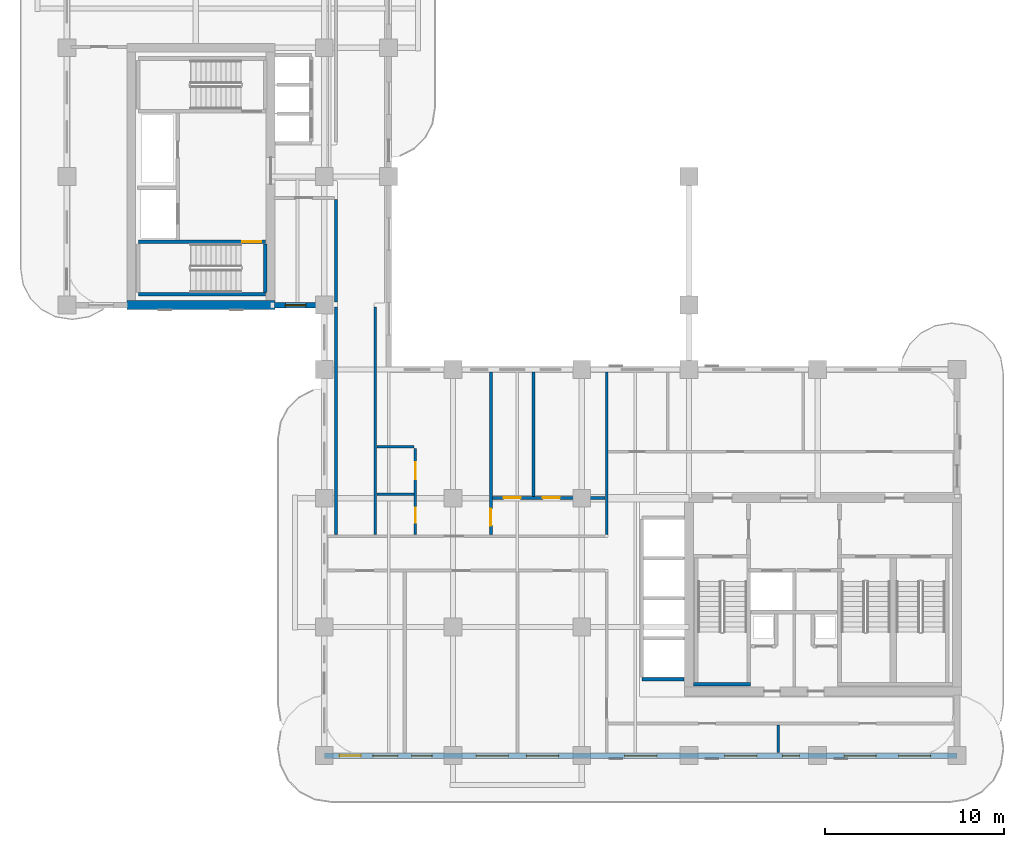
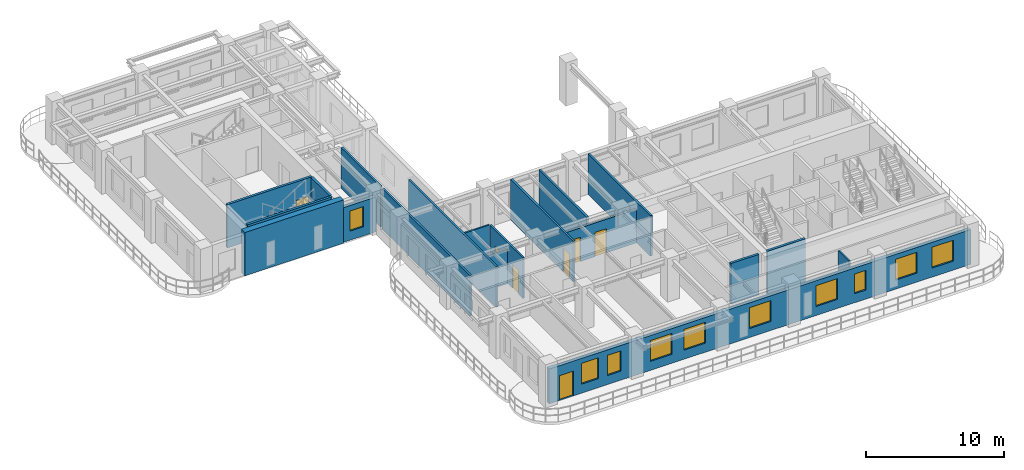
# One storey, part 6 of 15: 19 walls, 10 windows, 7 doors, 17 openings.
"""IFC4 building model written with IfcOpenShell, lengths in metres."""

import ifcopenshell
import ifcopenshell.guid

model = None  # the IFC model being written
_history = None  # IfcOwnerHistory: only IFC2X3 demands one
_inside = {}  # id of a spatial element -> (the spatial element, [elements in it])
_under = {}  # id of a project, library or spatial element -> (it, [spatial elements below it])
_declared = {}  # id of a project -> (the project, [libraries it declares])
_typed = {}  # id of a type object -> (the type object, [elements of that type])
_made_of = {}  # id of a material, layer set ... -> (it, [elements and type objects made of it])


def new_model(schema):
    """Start an empty IFC model of exactly this schema.

    Asked for "IFC4X3", IfcOpenShell would pick the latest addendum, in which some entities
    have other attributes; the version numbers below select the first issue.
    IFC2X3 requires an IfcOwnerHistory on every rooted entity: one is made here for all.
    """
    global model, _history
    if schema == "IFC4X3":
        model = ifcopenshell.file(schema_version=(4, 3, 0, 0))
    else:
        model = ifcopenshell.file(schema=schema)
    _inside.clear()
    _under.clear()
    _declared.clear()
    _typed.clear()
    _made_of.clear()
    _history = None
    if model.schema == "IFC2X3":
        org = make("IfcOrganization", Name="unknown")
        user = make(
            "IfcPersonAndOrganization",
            ThePerson=make("IfcPerson", FamilyName="unknown"),
            TheOrganization=org,
        )
        app = make(
            "IfcApplication",
            ApplicationDeveloper=org,
            Version="unknown",
            ApplicationFullName="unknown",
            ApplicationIdentifier="unknown",
        )
        _history = make(
            "IfcOwnerHistory",
            OwningUser=user,
            OwningApplication=app,
            ChangeAction="ADDED",
            CreationDate=0,
        )
    return model


def make(cls, **values):
    """One entity of the class cls with the attributes given. An attribute that is None is left unset."""
    return model.create_entity(
        cls, **{name: value for name, value in values.items() if value is not None}
    )


def rooted(cls, **values):
    """An entity with a GlobalId (a new one), such as an element, a storey or a relation."""
    return make(cls, GlobalId=ifcopenshell.guid.new(), OwnerHistory=_history, **values)


def si_unit(unit_type, name, prefix=None):
    """IfcSIUnit, for example si_unit("LENGTHUNIT", "METRE", prefix="MILLI")."""
    return make("IfcSIUnit", UnitType=unit_type, Prefix=prefix, Name=name)


def derived_unit(unit_type, elements):
    """IfcDerivedUnit: a product of units, each with its exponent."""
    return make(
        "IfcDerivedUnit",
        Elements=[
            make("IfcDerivedUnitElement", Unit=unit, Exponent=power)
            for unit, power in elements
        ],
        UnitType=unit_type,
    )


def assignment(units):
    """IfcUnitAssignment: the units of a project."""
    return None if units is None else make("IfcUnitAssignment", Units=units)


def point(xyz):
    """IfcCartesianPoint."""
    return None if xyz is None else make("IfcCartesianPoint", Coordinates=xyz)


def direction(xyz):
    """IfcDirection."""
    return None if xyz is None else make("IfcDirection", DirectionRatios=xyz)


def frame(location, z_axis=None, x_axis=None):
    """IfcAxis2Placement3D, a coordinate frame: its origin and axes. An axis left out is left unset."""
    return make(
        "IfcAxis2Placement3D",
        Location=point(location),
        Axis=direction(z_axis),
        RefDirection=direction(x_axis),
    )


def frame_2d(location, x_axis=None):
    """IfcAxis2Placement2D, a coordinate frame in the plane: its origin and x axis."""
    return make(
        "IfcAxis2Placement2D", Location=point(location), RefDirection=direction(x_axis)
    )


def origin():
    """The frame at (0, 0, 0) with its axes left unset."""
    return frame((0.0, 0.0, 0.0))


def place(relative_to, where):
    """IfcLocalPlacement: puts the frame where relative to a parent placement (None: the world)."""
    return make(
        "IfcLocalPlacement", PlacementRelTo=relative_to, RelativePlacement=where
    )


def context(
    kind, dimensions, precision=None, world=None, true_north=None, identifier=None
):
    """IfcGeometricRepresentationContext, for example the 3D "Model" context."""
    return make(
        "IfcGeometricRepresentationContext",
        ContextIdentifier=identifier,
        ContextType=kind,
        CoordinateSpaceDimension=dimensions,
        Precision=precision,
        WorldCoordinateSystem=world,
        TrueNorth=true_north,
    )


def subcontext(parent, identifier, kind, view, scale=None):
    """IfcGeometricRepresentationSubContext, for example "Body" below "Model"."""
    return make(
        "IfcGeometricRepresentationSubContext",
        ContextIdentifier=identifier,
        ContextType=kind,
        ParentContext=parent,
        TargetScale=scale,
        TargetView=view,
    )


def project(units=None, contexts=None):
    """IfcProject with its units and contexts."""
    return rooted(
        "IfcProject",
        Name="project",
        RepresentationContexts=contexts,
        UnitsInContext=assignment(units),
    )


def spatial(cls, under=None, at=None, **own):
    """A site, building, storey or space (cls), placed at a placement, below another one or the project."""
    s = rooted(cls, ObjectPlacement=at, **own)
    if under is not None:
        _under.setdefault(under.id(), (under, []))[1].append(s)
    return s


def profile(cls, at=None, kind="AREA", **sizes):
    """A parametric profile (cls). Its sizes go by their IFC names, for example OverallWidth=200.0."""
    return make(cls, ProfileType=kind, Position=at, **sizes)


def rectangle(**sizes):
    """IfcRectangleProfileDef."""
    return profile("IfcRectangleProfileDef", **sizes)


def extrude(swept, where, along, depth):
    """IfcExtrudedAreaSolid: the profile swept, set in the frame where, extruded along a direction by depth."""
    return make(
        "IfcExtrudedAreaSolid",
        SweptArea=swept,
        Position=where,
        ExtrudedDirection=direction(along),
        Depth=depth,
    )


def shape(context_of_items, identifier, shape_type, items):
    """IfcShapeRepresentation: the items that make up one representation, for example the "Body"."""
    return make(
        "IfcShapeRepresentation",
        ContextOfItems=context_of_items,
        RepresentationIdentifier=identifier,
        RepresentationType=shape_type,
        Items=items,
    )


def source(mapping_origin, context_of_items, identifier, shape_type, items):
    """IfcRepresentationMap: a shape defined once, which mapped items show again and again."""
    return make(
        "IfcRepresentationMap",
        MappingOrigin=mapping_origin,
        MappedRepresentation=shape(context_of_items, identifier, shape_type, items),
    )


def transform(
    local_origin,
    x_axis=None,
    y_axis=None,
    z_axis=None,
    scale=None,
    scale2=None,
    scale3=None,
    uniform=True,
):
    """IfcCartesianTransformationOperator3D, or its non-uniform kind. x_axis, y_axis, z_axis: its Axis1, 2, 3."""
    if uniform:
        return make(
            "IfcCartesianTransformationOperator3D",
            Axis1=direction(x_axis),
            Axis2=direction(y_axis),
            LocalOrigin=point(local_origin),
            Scale=scale,
            Axis3=direction(z_axis),
        )
    return make(
        "IfcCartesianTransformationOperator3DnonUniform",
        Axis1=direction(x_axis),
        Axis2=direction(y_axis),
        LocalOrigin=point(local_origin),
        Scale=scale,
        Axis3=direction(z_axis),
        Scale2=scale2,
        Scale3=scale3,
    )


def mapped(mapping_source, mapping_target):
    """IfcMappedItem: shows the shape of a source again, moved by a transform."""
    return make(
        "IfcMappedItem", MappingSource=mapping_source, MappingTarget=mapping_target
    )


def material(Name=None, Category=None):
    """IfcMaterial."""
    return make("IfcMaterial", Name=Name, Category=Category)


def layer(
    of_material, thickness, ventilated=None, Name=None, Category=None, Priority=None
):
    """IfcMaterialLayer: one layer of a wall or slab, of a material (None: an air gap)."""
    return make(
        "IfcMaterialLayer",
        Material=of_material,
        LayerThickness=thickness,
        IsVentilated=ventilated,
        Name=Name,
        Category=Category,
        Priority=Priority,
    )


def layer_set(layers, Name=None):
    """IfcMaterialLayerSet."""
    return make("IfcMaterialLayerSet", MaterialLayers=layers, LayerSetName=Name)


def made_of(thing, what):
    """Note that an element or type object is made of a material, layer set ...; save() writes the relation."""
    if what is not None:
        _made_of.setdefault(what.id(), (what, []))[1].append(thing)
    return thing


def type_object(cls, material=None, **own):
    """A type object (cls), such as IfcWallType, which elements share."""
    return made_of(rooted(cls, **own), material)


def type_shapes(of_type, sources):
    """Give a type object the sources (RepresentationMaps) that its elements show as mapped items."""
    of_type.RepresentationMaps = sources


def element(
    cls,
    number,
    at=None,
    inside=None,
    cuts=None,
    type_object=None,
    material=None,
    context=None,
    identifier="Body",
    shape_type=None,
    held_by="IfcProductDefinitionShape",
    body=None,
    shapes=None,
    **own,
):
    """One element of the class cls, such as IfcWall. Its Tag is "e" and its number.

    at: its placement. inside: the storey or other place that contains it. cuts: it is an
    opening in that element (IfcRelVoidsElement). A single representation is given by context,
    identifier, shape_type and body (its items); several are given by shapes. held_by: the class
    of the entity that holds the representations. save() writes the other relations.
    """
    e = rooted(cls, Tag="e%d" % number, ObjectPlacement=at, **own)
    if body is not None:
        shapes = [shape(context, identifier, shape_type, body)]
    if shapes is not None:
        e.Representation = make(held_by, Representations=shapes)
    if inside is not None:
        _inside.setdefault(inside.id(), (inside, []))[1].append(e)
    if cuts is not None:
        rooted(
            "IfcRelVoidsElement", RelatingBuildingElement=cuts, RelatedOpeningElement=e
        )
    if type_object is not None:
        _typed.setdefault(type_object.id(), (type_object, []))[1].append(e)
    return made_of(e, material)


def fill(opening, filler):
    """IfcRelFillsElement: the door or window that sits in an opening."""
    return rooted(
        "IfcRelFillsElement",
        RelatingOpeningElement=opening,
        RelatedBuildingElement=filler,
    )


def aggregate(whole, parts):
    """IfcRelAggregates: a whole, such as a stair, and the parts it consists of."""
    return rooted("IfcRelAggregates", RelatingObject=whole, RelatedObjects=parts)


def save(model, path):
    """Write the relations noted so far, then the file.

    IfcRelAggregates (storeys below a building ...), IfcRelContainedInSpatialStructure (elements
    in a storey), IfcRelDefinesByType, IfcRelAssociatesMaterial and IfcRelDeclares: one each for
    every whole, place, type object, material and project.
    """
    for whole, parts in _under.values():
        aggregate(whole, parts)
    for where, things in _inside.values():
        rooted(
            "IfcRelContainedInSpatialStructure",
            RelatedElements=things,
            RelatingStructure=where,
        )
    for kind, things in _typed.values():
        rooted("IfcRelDefinesByType", RelatedObjects=things, RelatingType=kind)
    for what, things in _made_of.values():
        rooted("IfcRelAssociatesMaterial", RelatedObjects=things, RelatingMaterial=what)
    for by, libraries in _declared.values():
        rooted("IfcRelDeclares", RelatingContext=by, RelatedDefinitions=libraries)
    model.write(path)


model = new_model("IFC4")

# Units and contexts
model_context = context("Model", 3, precision=1e-05, world=origin(), true_north=direction((0.0, 1.0)))
body_context = subcontext(model_context, "Body", "Model", "MODEL_VIEW")
ifc_project = project(units=[si_unit("LENGTHUNIT", "METRE"), si_unit("AREAUNIT", "SQUARE_METRE"), si_unit("VOLUMEUNIT", "CUBIC_METRE"), si_unit("PLANEANGLEUNIT", "RADIAN"), si_unit("MASSUNIT", "GRAM", prefix="KILO"), si_unit("THERMODYNAMICTEMPERATUREUNIT", "KELVIN"), si_unit("POWERUNIT", "WATT"), derived_unit("THERMALTRANSMITTANCEUNIT", [(si_unit("POWERUNIT", "WATT"), 1), (si_unit("AREAUNIT", "SQUARE_METRE"), -1), (si_unit("THERMODYNAMICTEMPERATUREUNIT", "KELVIN"), -1)])], contexts=[model_context])

# Site, building, storey
site_placement = place(None, origin())
site = spatial("IfcSite", under=ifc_project, at=site_placement, CompositionType="ELEMENT")
building_placement = place(site_placement, origin())
building = spatial("IfcBuilding", under=site, at=building_placement, Name="Zahravan Archway Hotel and Residences", CompositionType="ELEMENT")
storey_placement = place(building_placement, frame((0.0, 0.0, 184.949951171875)))
storey = spatial("IfcBuildingStorey", under=building, at=storey_placement, Name="L46", CompositionType="ELEMENT", Elevation=184.949951171875)

# Wall
ifc_material_1 = material(Name="Concrete C60/75", Category="concrete")
ifc_layer_1 = layer(ifc_material_1, 0.5, Name="Concrete C60/75", Category="concrete")
ifc_layer_set_1 = layer_set([ifc_layer_1], Name="Concrete C60/75")
wall_type_1 = type_object("IfcWallType", Name="CW-CORE-500", PredefinedType="SHEAR", material=ifc_layer_set_1)
wall_1_placement = place(storey_placement, frame((3.35009765625, 25.199951171875, 0.0), z_axis=(0.0, 0.0, 1.0), x_axis=(1.0, 0.0, 0.0)))
element("IfcWall", 1, at=wall_1_placement, inside=storey, type_object=wall_type_1, Name="L46 Core B Shear S Wall 500 mm", PredefinedType="SHEAR", context=body_context, shape_type="SweptSolid", body=[
    extrude(rectangle(XDim=8.2998046875, YDim=0.5, at=frame_2d((4.14990234375, 0.0))), origin(), (0.0, 0.0, 1.0), 3.85009765625),
])

# Wall, openings, door, windows
ifc_material_2 = material(Name="Agra Buff Sandstone & Insulated Backup", Category="masonry")
ifc_layer_2 = layer(ifc_material_2, 0.320068359375, Name="Agra Buff Sandstone & Insulated Backup", Category="masonry")
ifc_layer_set_2 = layer_set([ifc_layer_2], Name="Agra Buff Sandstone & Insulated Backup")
wall_type_2 = type_object("IfcWallType", Name="EW-SAND-320", PredefinedType="SOLIDWALL", material=ifc_layer_set_2)
wall_2_placement = place(storey_placement, frame((14.39990234375, 0.0, 0.0), z_axis=(0.0, 0.0, 1.0), x_axis=(1.0, 0.0, 0.0)))
wall_2 = element("IfcWall", 2, at=wall_2_placement, inside=storey, type_object=wall_type_2, Name="L46 Exterior Sandstone Wall WA-S", PredefinedType="SOLIDWALL", context=body_context, shape_type="SweptSolid", body=[
    extrude(rectangle(XDim=35.400146484375, YDim=0.320068359375, at=frame_2d((17.7001953125, 0.0))), origin(), (0.0, 0.0, 1.0), 3.0849609375),
])
opening_1_placement = place(wall_2_placement, frame((0.85009765625, 0.0, 0.0)))
opening_1 = element("IfcOpeningElement", 3, at=opening_1_placement, cuts=wall_2, Name="Opening ED-BL1", PredefinedType="OPENING", context=body_context, shape_type="SweptSolid", body=[
    extrude(rectangle(XDim=1.199951171875, YDim=2.199951171875, at=frame_2d((0.60009765625, 1.10009765625))), frame((0.0, 0.169921875, 0.0), z_axis=(0.0, -1.0, 0.0), x_axis=(1.0, 0.0, 0.0)), (0.0, 0.0, 1.0), 0.340087890625),
])
opening_2_placement = place(wall_2_placement, frame((2.720947265625, 0.0, 0.800048828125)))
opening_2 = element("IfcOpeningElement", 4, at=opening_2_placement, cuts=wall_2, Name="Opening W-03", PredefinedType="OPENING", context=body_context, shape_type="SweptSolid", body=[
    extrude(rectangle(XDim=1.39990234375, YDim=1.85009765625, at=frame_2d((0.699951171875, 0.925048828125))), frame((0.0, 0.169921875, 0.0), z_axis=(0.0, -1.0, 0.0), x_axis=(1.0, 0.0, 0.0)), (0.0, 0.0, 1.0), 0.340087890625),
])
opening_3_placement = place(wall_2_placement, frame((4.87890625, 0.0, 0.800048828125)))
opening_3 = element("IfcOpeningElement", 5, at=opening_3_placement, cuts=wall_2, Name="Opening W-05", PredefinedType="OPENING", context=body_context, shape_type="SweptSolid", body=[
    extrude(rectangle(XDim=1.14990234375, YDim=1.800048828125, at=frame_2d((0.574951171875, 0.89990234375))), frame((0.0, 0.169921875, 0.0), z_axis=(0.0, -1.0, 0.0), x_axis=(1.0, 0.0, 0.0)), (0.0, 0.0, 1.0), 0.340087890625),
])
opening_4_placement = place(wall_2_placement, frame((8.49609375, 0.0, 0.800048828125)))
opening_4 = element("IfcOpeningElement", 6, at=opening_4_placement, cuts=wall_2, Name="Opening W-02", PredefinedType="OPENING", context=body_context, shape_type="SweptSolid", body=[
    extrude(rectangle(XDim=1.800048828125, YDim=1.85009765625, at=frame_2d((0.89990234375, 0.925048828125))), frame((0.0, 0.169921875, 0.0), z_axis=(0.0, -1.0, 0.0), x_axis=(1.0, 0.0, 0.0)), (0.0, 0.0, 1.0), 0.340087890625),
])
opening_5_placement = place(wall_2_placement, frame((11.303955078125, 0.0, 0.800048828125)))
opening_5 = element("IfcOpeningElement", 7, at=opening_5_placement, cuts=wall_2, Name="Opening W-02", PredefinedType="OPENING", context=body_context, shape_type="SweptSolid", body=[
    extrude(rectangle(XDim=1.800048828125, YDim=1.85009765625, at=frame_2d((0.89990234375, 0.925048828125))), frame((0.0, 0.169921875, 0.0), z_axis=(0.0, -1.0, 0.0), x_axis=(1.0, 0.0, 0.0)), (0.0, 0.0, 1.0), 0.340087890625),
])
opening_6_placement = place(wall_2_placement, frame((16.803955078125, 0.0, 0.800048828125)))
opening_6 = element("IfcOpeningElement", 8, at=opening_6_placement, cuts=wall_2, Name="Opening W-02", PredefinedType="OPENING", context=body_context, shape_type="SweptSolid", body=[
    extrude(rectangle(XDim=1.800048828125, YDim=1.85009765625, at=frame_2d((0.89990234375, 0.925048828125))), frame((0.0, 0.169921875, 0.0), z_axis=(0.0, -1.0, 0.0), x_axis=(1.0, 0.0, 0.0)), (0.0, 0.0, 1.0), 0.340087890625),
])
opening_7_placement = place(wall_2_placement, frame((22.39599609375, 0.0, 0.800048828125)))
opening_7 = element("IfcOpeningElement", 9, at=opening_7_placement, cuts=wall_2, Name="Opening W-02", PredefinedType="OPENING", context=body_context, shape_type="SweptSolid", body=[
    extrude(rectangle(XDim=1.800048828125, YDim=1.85009765625, at=frame_2d((0.89990234375, 0.925048828125))), frame((0.0, 0.169921875, 0.0), z_axis=(0.0, -1.0, 0.0), x_axis=(1.0, 0.0, 0.0)), (0.0, 0.0, 1.0), 0.340087890625),
])
opening_8_placement = place(wall_2_placement, frame((25.62890625, 0.0, 0.800048828125)))
opening_8 = element("IfcOpeningElement", 10, at=opening_8_placement, cuts=wall_2, Name="Opening W-04", PredefinedType="OPENING", context=body_context, shape_type="SweptSolid", body=[
    extrude(rectangle(XDim=0.949951171875, YDim=1.75, at=frame_2d((0.47509765625, 0.875))), frame((0.0, 0.169921875, 0.0), z_axis=(0.0, -1.0, 0.0), x_axis=(1.0, 0.0, 0.0)), (0.0, 0.0, 1.0), 0.340087890625),
])
opening_9_placement = place(wall_2_placement, frame((29.074951171875, 0.0, 0.800048828125)))
opening_9 = element("IfcOpeningElement", 11, at=opening_9_placement, cuts=wall_2, Name="Opening W-02", PredefinedType="OPENING", context=body_context, shape_type="SweptSolid", body=[
    extrude(rectangle(XDim=1.800048828125, YDim=1.85009765625, at=frame_2d((0.89990234375, 0.925048828125))), frame((0.0, 0.169921875, 0.0), z_axis=(0.0, -1.0, 0.0), x_axis=(1.0, 0.0, 0.0)), (0.0, 0.0, 1.0), 0.340087890625),
])
opening_10_placement = place(wall_2_placement, frame((32.125, 0.0, 0.800048828125)))
opening_10 = element("IfcOpeningElement", 12, at=opening_10_placement, cuts=wall_2, Name="Opening W-02", PredefinedType="OPENING", context=body_context, shape_type="SweptSolid", body=[
    extrude(rectangle(XDim=1.800048828125, YDim=1.85009765625, at=frame_2d((0.89990234375, 0.925048828125))), frame((0.0, 0.169921875, 0.0), z_axis=(0.0, -1.0, 0.0), x_axis=(1.0, 0.0, 0.0)), (0.0, 0.0, 1.0), 0.340087890625),
])
ifc_material_3 = material(Name="Bronze-Anodized Glazed Aluminium", Category="aluminium")
door_type_1 = type_object("IfcDoorType", Name="ED-BALC-1200", OperationType="SLIDING_TO_LEFT", PredefinedType="DOOR", material=ifc_material_3)
shared_shape_1 = source(origin(), body_context, "Body", "SweptSolid", [
    extrude(rectangle(XDim=1.199951171875, YDim=2.199951171875, at=frame_2d((0.60009765625, 1.10009765625))), frame((0.0, 0.02490234375, 0.0), z_axis=(0.0, -1.0, 0.0), x_axis=(1.0, 0.0, 0.0)), (0.0, 0.0, 1.0), 0.050048828125),
])
type_shapes(door_type_1, [shared_shape_1])
door_1_placement = place(opening_1_placement, origin())
door_1 = element("IfcDoor", 13, at=door_1_placement, inside=storey, type_object=door_type_1, Name="L46 Outdoor Access Sliding Door (SLB-BAL-L46-SA)", OperationType="SLIDING_TO_LEFT", OverallHeight=2.199951171875, OverallWidth=1.199951171875, PredefinedType="DOOR", context=body_context, shape_type="MappedRepresentation", body=[
    mapped(shared_shape_1, transform((0.0, 0.0, 0.0), scale=1.0)),
])
fill(opening_1, door_1)
ifc_material_4 = material(Name="Bronze-Anodized Thermal-Break Aluminium & Low-E Glass", Category="aluminium")
window_type_1 = type_object("IfcWindowType", Name="WIN-TWR-1400", PartitioningType="SINGLE_PANEL", PredefinedType="WINDOW", material=ifc_material_4)
shared_shape_2 = source(origin(), body_context, "Body", "SweptSolid", [
    extrude(rectangle(XDim=1.39990234375, YDim=1.85009765625, at=frame_2d((0.699951171875, 0.925048828125))), frame((0.0, 0.030029296875, 0.0), z_axis=(0.0, -1.0, 0.0), x_axis=(1.0, 0.0, 0.0)), (0.0, 0.0, 1.0), 0.06005859375),
])
type_shapes(window_type_1, [shared_shape_2])
window_1_placement = place(opening_2_placement, origin())
window_1 = element("IfcWindow", 14, at=window_1_placement, inside=storey, type_object=window_type_1, Name="L46 Loggia Window 01", OverallHeight=1.85009765625, OverallWidth=1.39990234375, PartitioningType="SINGLE_PANEL", PredefinedType="WINDOW", context=body_context, shape_type="MappedRepresentation", body=[
    mapped(shared_shape_2, transform((0.0, 0.0, 0.0), scale=1.0)),
])
fill(opening_2, window_1)
window_type_2 = type_object("IfcWindowType", Name="WIN-NAR-950", PartitioningType="SINGLE_PANEL", PredefinedType="WINDOW", material=ifc_material_4)
shared_shape_3 = source(origin(), body_context, "Body", "SweptSolid", [
    extrude(rectangle(XDim=0.949951171875, YDim=1.75, at=frame_2d((0.47509765625, 0.875))), frame((0.0, 0.030029296875, 0.0), z_axis=(0.0, -1.0, 0.0), x_axis=(1.0, 0.0, 0.0)), (0.0, 0.0, 1.0), 0.06005859375),
])
type_shapes(window_type_2, [shared_shape_3])
window_2_placement = place(opening_8_placement, origin())
window_2 = element("IfcWindow", 15, at=window_2_placement, inside=storey, type_object=window_type_2, Name="L46 Loggia Window 07", OverallHeight=1.75, OverallWidth=0.949951171875, PartitioningType="SINGLE_PANEL", PredefinedType="WINDOW", context=body_context, shape_type="MappedRepresentation", body=[
    mapped(shared_shape_3, transform((0.0, 0.0, 0.0), scale=1.0)),
])
fill(opening_8, window_2)
window_type_3 = type_object("IfcWindowType", Name="WIN-TWR-1800", PartitioningType="DOUBLE_PANEL_VERTICAL", PredefinedType="WINDOW", material=ifc_material_4)
shared_shape_4 = source(origin(), body_context, "Body", "SweptSolid", [
    extrude(rectangle(XDim=1.800048828125, YDim=1.85009765625, at=frame_2d((0.89990234375, 0.925048828125))), frame((0.0, 0.030029296875, 0.0), z_axis=(0.0, -1.0, 0.0), x_axis=(1.0, 0.0, 0.0)), (0.0, 0.0, 1.0), 0.06005859375),
])
type_shapes(window_type_3, [shared_shape_4])
window_3_placement = place(opening_4_placement, origin())
window_3 = element("IfcWindow", 16, at=window_3_placement, inside=storey, type_object=window_type_3, Name="L46 Loggia Window 03", OverallHeight=1.85009765625, OverallWidth=1.800048828125, PartitioningType="DOUBLE_PANEL_VERTICAL", PredefinedType="WINDOW", context=body_context, shape_type="MappedRepresentation", body=[
    mapped(shared_shape_4, transform((0.0, 0.0, 0.0), scale=1.0)),
])
fill(opening_4, window_3)
window_4_placement = place(opening_5_placement, origin())
window_4 = element("IfcWindow", 17, at=window_4_placement, inside=storey, type_object=window_type_3, Name="L46 Loggia Window 04", OverallHeight=1.85009765625, OverallWidth=1.800048828125, PartitioningType="DOUBLE_PANEL_VERTICAL", PredefinedType="WINDOW", context=body_context, shape_type="MappedRepresentation", body=[
    mapped(shared_shape_4, transform((0.0, 0.0, 0.0), scale=1.0)),
])
fill(opening_5, window_4)
window_5_placement = place(opening_6_placement, origin())
window_5 = element("IfcWindow", 18, at=window_5_placement, inside=storey, type_object=window_type_3, Name="L46 Loggia Window 05", OverallHeight=1.85009765625, OverallWidth=1.800048828125, PartitioningType="DOUBLE_PANEL_VERTICAL", PredefinedType="WINDOW", context=body_context, shape_type="MappedRepresentation", body=[
    mapped(shared_shape_4, transform((0.0, 0.0, 0.0), scale=1.0)),
])
fill(opening_6, window_5)
window_6_placement = place(opening_7_placement, origin())
window_6 = element("IfcWindow", 19, at=window_6_placement, inside=storey, type_object=window_type_3, Name="L46 Loggia Window 06", OverallHeight=1.85009765625, OverallWidth=1.800048828125, PartitioningType="DOUBLE_PANEL_VERTICAL", PredefinedType="WINDOW", context=body_context, shape_type="MappedRepresentation", body=[
    mapped(shared_shape_4, transform((0.0, 0.0, 0.0), scale=1.0)),
])
fill(opening_7, window_6)
window_7_placement = place(opening_9_placement, origin())
window_7 = element("IfcWindow", 20, at=window_7_placement, inside=storey, type_object=window_type_3, Name="L46 Loggia Window 08", OverallHeight=1.85009765625, OverallWidth=1.800048828125, PartitioningType="DOUBLE_PANEL_VERTICAL", PredefinedType="WINDOW", context=body_context, shape_type="MappedRepresentation", body=[
    mapped(shared_shape_4, transform((0.0, 0.0, 0.0), scale=1.0)),
])
fill(opening_9, window_7)
window_8_placement = place(opening_10_placement, origin())
window_8 = element("IfcWindow", 21, at=window_8_placement, inside=storey, type_object=window_type_3, Name="L46 Loggia Window 09", OverallHeight=1.85009765625, OverallWidth=1.800048828125, PartitioningType="DOUBLE_PANEL_VERTICAL", PredefinedType="WINDOW", context=body_context, shape_type="MappedRepresentation", body=[
    mapped(shared_shape_4, transform((0.0, 0.0, 0.0), scale=1.0)),
])
fill(opening_10, window_8)
window_type_4 = type_object("IfcWindowType", Name="WIN-TWR-1150", PartitioningType="SINGLE_PANEL", PredefinedType="WINDOW", material=ifc_material_4)
shared_shape_5 = source(origin(), body_context, "Body", "SweptSolid", [
    extrude(rectangle(XDim=1.14990234375, YDim=1.800048828125, at=frame_2d((0.574951171875, 0.89990234375))), frame((0.0, 0.030029296875, 0.0), z_axis=(0.0, -1.0, 0.0), x_axis=(1.0, 0.0, 0.0)), (0.0, 0.0, 1.0), 0.06005859375),
])
type_shapes(window_type_4, [shared_shape_5])
window_9_placement = place(opening_3_placement, origin())
window_9 = element("IfcWindow", 22, at=window_9_placement, inside=storey, type_object=window_type_4, Name="L46 Loggia Window 02", OverallHeight=1.800048828125, OverallWidth=1.14990234375, PartitioningType="SINGLE_PANEL", PredefinedType="WINDOW", context=body_context, shape_type="MappedRepresentation", body=[
    mapped(shared_shape_5, transform((0.0, 0.0, 0.0), scale=1.0)),
])
fill(opening_3, window_9)

# Wall, opening, window
wall_3_placement = place(storey_placement, frame((11.6201171875, 25.199951171875, 0.0), z_axis=(0.0, 0.0, 1.0), x_axis=(1.0, 0.0, 0.0)))
wall_3 = element("IfcWall", 23, at=wall_3_placement, inside=storey, type_object=wall_type_2, Name="L46 Exterior Sandstone Wall WB-SE", PredefinedType="SOLIDWALL", context=body_context, shape_type="SweptSolid", body=[
    extrude(rectangle(XDim=2.77978515625, YDim=0.320068359375, at=frame_2d((1.389892578125, 0.0))), origin(), (0.0, 0.0, 1.0), 3.0849609375),
])
opening_11_placement = place(wall_3_placement, frame((0.60009765625, 0.0, 0.800048828125)))
opening_11 = element("IfcOpeningElement", 24, at=opening_11_placement, cuts=wall_3, Name="Opening W-05", PredefinedType="OPENING", context=body_context, shape_type="SweptSolid", body=[
    extrude(rectangle(XDim=1.14990234375, YDim=1.800048828125, at=frame_2d((0.574951171875, 0.89990234375))), frame((0.0, 0.169921875, 0.0), z_axis=(0.0, -1.0, 0.0), x_axis=(1.0, 0.0, 0.0)), (0.0, 0.0, 1.0), 0.340087890625),
])
window_10_placement = place(opening_11_placement, origin())
window_10 = element("IfcWindow", 25, at=window_10_placement, inside=storey, type_object=window_type_4, Name="L46 Loggia Window 28", OverallHeight=1.800048828125, OverallWidth=1.14990234375, PartitioningType="SINGLE_PANEL", PredefinedType="WINDOW", context=body_context, shape_type="MappedRepresentation", body=[
    mapped(shared_shape_5, transform((0.0, 0.0, 0.0), scale=1.0)),
])
fill(opening_11, window_10)

# Walls
ifc_material_5 = material(Name="Fire-Rated Gypsum & Concrete Block", Category="concrete")
ifc_layer_3 = layer(ifc_material_5, 0.159912109375, Name="Fire-Rated Gypsum & Concrete Block", Category="concrete")
ifc_layer_set_3 = layer_set([ifc_layer_3], Name="Fire-Rated Gypsum & Concrete Block")
wall_type_3 = type_object("IfcWallType", Name="PW-CORR-160", PredefinedType="PARTITIONING", material=ifc_layer_set_3)
wall_4_placement = place(storey_placement, frame((30.199951171875, 12.360107421875, 0.0), z_axis=(0.0, 0.0, 1.0), x_axis=(0.0, 1.0, 0.0)))
element("IfcWall", 26, at=wall_4_placement, inside=storey, type_object=wall_type_3, Name="L46 Partition WA-FW", PredefinedType="PARTITIONING", context=body_context, shape_type="SweptSolid", body=[
    extrude(rectangle(XDim=9.099853515625, YDim=0.159912109375, at=frame_2d((4.5498046875, 0.0))), origin(), (0.0, 0.0, 1.0), 3.60009765625),
])
for number, where, z_axis, x_axis, name in (
    (27, (15.050048828125, 12.360107421875, 0.0), (0.0, 0.0, 1.0), (0.0, 1.0, 0.0), "L46 Partition LNK-W"),
    (28, (17.25, 12.360107421875, 0.0), (0.0, 0.0, 1.0), (0.0, 1.0, 0.0), "L46 Partition LNK-E"),
):
    element("IfcWall", number, at=place(storey_placement, frame(where, z_axis=z_axis, x_axis=x_axis)), inside=storey, type_object=wall_type_3, Name=name, PredefinedType="PARTITIONING", context=body_context, shape_type="SweptSolid", body=[
        extrude(rectangle(XDim=12.75, YDim=0.159912109375, at=frame_2d((6.375, 0.0))), origin(), (0.0, 0.0, 1.0), 3.60009765625),
    ])
wall_5_placement = place(storey_placement, frame((15.050048828125, 25.389892578125, 0.0), z_axis=(0.0, 0.0, 1.0), x_axis=(0.0, 1.0, 0.0)))
element("IfcWall", 29, at=wall_5_placement, inside=storey, type_object=wall_type_3, Name="L46 Partition FB1-E", PredefinedType="PARTITIONING", context=body_context, shape_type="SweptSolid", body=[
    extrude(rectangle(XDim=5.72021484375, YDim=0.159912109375, at=frame_2d((2.860107421875, 0.0))), origin(), (0.0, 0.0, 1.0), 3.60009765625),
])
ifc_material_6 = material(Name="Acoustic Stud Partition")
ifc_layer_4 = layer(ifc_material_6, 0.125, Name="Acoustic Stud Partition")
ifc_layer_set_4 = layer_set([ifc_layer_4], Name="Acoustic Stud Partition")
wall_type_4 = type_object("IfcWallType", Name="PW-INT-125", PredefinedType="PARTITIONING", material=ifc_layer_set_4)
wall_6_placement = place(storey_placement, frame((39.800048828125, 0.16796875, 0.0), z_axis=(0.0, 0.0, 1.0), x_axis=(0.0, 1.0, 0.0)))
element("IfcWall", 30, at=wall_6_placement, inside=storey, type_object=wall_type_4, Name="L46 Partition S-DIV1", PredefinedType="PARTITIONING", context=body_context, shape_type="SweptSolid", body=[
    extrude(rectangle(XDim=1.5419921875, YDim=0.125, at=frame_2d((0.77099609375, 0.0))), origin(), (0.0, 0.0, 1.0), 3.60009765625),
])
ifc_layer_5 = layer(ifc_material_5, 0.199951171875, Name="Fire-Rated Gypsum & Concrete Block", Category="concrete")
ifc_layer_set_5 = layer_set([ifc_layer_5], Name="Fire-Rated Gypsum & Concrete Block")
wall_type_5 = type_object("IfcWallType", Name="PW-SHAFT-200", PredefinedType="PARTITIONING", material=ifc_layer_set_5)
wall_7_placement = place(storey_placement, frame((32.159912109375, 4.280029296875, 0.0), z_axis=(0.0, 0.0, 1.0), x_axis=(1.0, 0.0, 0.0)))
element("IfcWall", 31, at=wall_7_placement, inside=storey, type_object=wall_type_5, Name="L46 Partition B3-S", PredefinedType="PARTITIONING", context=body_context, shape_type="SweptSolid", body=[
    extrude(rectangle(XDim=2.360107421875, YDim=0.199951171875, at=frame_2d((1.18017578125, 0.0))), origin(), (0.0, 0.0, 1.0), 3.60009765625),
])

# Wall, opening, door
ifc_layer_6 = layer(ifc_material_6, 0.169921875, Name="Acoustic Stud Partition")
ifc_layer_set_6 = layer_set([ifc_layer_6], Name="Acoustic Stud Partition")
wall_type_6 = type_object("IfcWallType", Name="PW-UNIT-170", PredefinedType="PARTITIONING", material=ifc_layer_set_6)
wall_8_placement = place(storey_placement, frame((23.719970703125, 12.360107421875, 0.0), z_axis=(0.0, 0.0, 1.0), x_axis=(0.0, 1.0, 0.0)))
wall_8 = element("IfcWall", 32, at=wall_8_placement, inside=storey, type_object=wall_type_6, Name="L46 Partition FL-HN1-SP", PredefinedType="PARTITIONING", context=body_context, shape_type="SweptSolid", body=[
    extrude(rectangle(XDim=9.099853515625, YDim=0.169921875, at=frame_2d((4.5498046875, 0.0))), origin(), (0.0, 0.0, 1.0), 3.60009765625),
])
opening_12_placement = place(wall_8_placement, frame((0.510009765625, 0.0, 0.0)))
opening_12 = element("IfcOpeningElement", 33, at=opening_12_placement, cuts=wall_8, Name="Opening D-I1", PredefinedType="OPENING", context=body_context, shape_type="SweptSolid", body=[
    extrude(rectangle(XDim=0.949951171875, YDim=2.14990234375, at=frame_2d((0.47509765625, 1.074951171875))), frame((0.0, 0.094970703125, 0.0), z_axis=(0.0, -1.0, 0.0), x_axis=(1.0, 0.0, 0.0)), (0.0, 0.0, 1.0), 0.18994140625),
])
ifc_material_7 = material(Name="Hardwood Veneer Timber", Category="wood")
door_type_2 = type_object("IfcDoorType", Name="ID-INT-950", OperationType="NOTDEFINED", PredefinedType="DOOR", material=ifc_material_7)
shared_shape_6 = source(origin(), body_context, "Body", "SweptSolid", [
    extrude(rectangle(XDim=0.949951171875, YDim=2.14990234375, at=frame_2d((0.47509765625, 1.074951171875))), frame((0.0, 0.02490234375, 0.0), z_axis=(0.0, -1.0, 0.0), x_axis=(1.0, 0.0, 0.0)), (0.0, 0.0, 1.0), 0.050048828125),
])
type_shapes(door_type_2, [shared_shape_6])
door_2_placement = place(opening_12_placement, origin())
door_2 = element("IfcDoor", 34, at=door_2_placement, inside=storey, type_object=door_type_2, Name="L46 Flat HN1 Bedroom Hall Door", OperationType="SINGLE_SWING_LEFT", OverallHeight=2.14990234375, OverallWidth=0.949951171875, PredefinedType="DOOR", context=body_context, shape_type="MappedRepresentation", body=[
    mapped(shared_shape_6, transform((0.0, 0.0, 0.0), scale=1.0)),
])
fill(opening_12, door_2)

# Wall, openings, doors
wall_9_placement = place(storey_placement, frame((23.81005859375, 14.419921875, 0.0), z_axis=(0.0, 0.0, 1.0), x_axis=(1.0, 0.0, 0.0)))
wall_9 = element("IfcWall", 35, at=wall_9_placement, inside=storey, type_object=wall_type_6, Name="L46 Partition FL-HN1-GH", PredefinedType="PARTITIONING", context=body_context, shape_type="SweptSolid", body=[
    extrude(rectangle(XDim=6.300048828125, YDim=0.169921875, at=frame_2d((3.14990234375, 0.0))), origin(), (0.0, 0.0, 1.0), 2.985107421875),
])
opening_13_placement = place(wall_9_placement, frame((0.625, 0.0, 0.0)))
opening_13 = element("IfcOpeningElement", 36, at=opening_13_placement, cuts=wall_9, Name="Opening D-I1", PredefinedType="OPENING", context=body_context, shape_type="SweptSolid", body=[
    extrude(rectangle(XDim=0.949951171875, YDim=2.14990234375, at=frame_2d((0.47509765625, 1.074951171875))), frame((0.0, 0.094970703125, 0.0), z_axis=(0.0, -1.0, 0.0), x_axis=(1.0, 0.0, 0.0)), (0.0, 0.0, 1.0), 0.18994140625),
])
opening_14_placement = place(wall_9_placement, frame((2.81494140625, 0.0, 0.0)))
opening_14 = element("IfcOpeningElement", 37, at=opening_14_placement, cuts=wall_9, Name="Opening D-I1", PredefinedType="OPENING", context=body_context, shape_type="SweptSolid", body=[
    extrude(rectangle(XDim=0.949951171875, YDim=2.14990234375, at=frame_2d((0.47509765625, 1.074951171875))), frame((0.0, 0.094970703125, 0.0), z_axis=(0.0, -1.0, 0.0), x_axis=(1.0, 0.0, 0.0)), (0.0, 0.0, 1.0), 0.18994140625),
])
door_3_placement = place(opening_13_placement, origin())
door_3 = element("IfcDoor", 38, at=door_3_placement, inside=storey, type_object=door_type_2, Name="L46 Flat HN1 Bedroom 1 Door", OperationType="SINGLE_SWING_LEFT", OverallHeight=2.14990234375, OverallWidth=0.949951171875, PredefinedType="DOOR", context=body_context, shape_type="MappedRepresentation", body=[
    mapped(shared_shape_6, transform((0.0, 0.0, 0.0), scale=1.0)),
])
fill(opening_13, door_3)
door_4_placement = place(opening_14_placement, origin())
door_4 = element("IfcDoor", 39, at=door_4_placement, inside=storey, type_object=door_type_2, Name="L46 Flat HN1 Bedroom 2 Door", OperationType="SINGLE_SWING_LEFT", OverallHeight=2.14990234375, OverallWidth=0.949951171875, PredefinedType="DOOR", context=body_context, shape_type="MappedRepresentation", body=[
    mapped(shared_shape_6, transform((0.0, 0.0, 0.0), scale=1.0)),
])
fill(opening_14, door_4)

# Wall
wall_10_placement = place(storey_placement, frame((26.10009765625, 14.510009765625, 0.0), z_axis=(0.0, 0.0, 1.0), x_axis=(0.0, 1.0, 0.0)))
element("IfcWall", 40, at=wall_10_placement, inside=storey, type_object=wall_type_6, Name="L46 Partition FL-HN1-BD1", PredefinedType="PARTITIONING", context=body_context, shape_type="SweptSolid", body=[
    extrude(rectangle(XDim=6.949951171875, YDim=0.169921875, at=frame_2d((3.47509765625, 0.0))), origin(), (0.0, 0.0, 1.0), 3.60009765625),
])

# Wall, openings, doors
ifc_material_8 = material(Name="Moisture-Resistant Blockwork", Category="masonry")
ifc_layer_7 = layer(ifc_material_8, 0.139892578125, Name="Moisture-Resistant Blockwork", Category="masonry")
ifc_layer_set_7 = layer_set([ifc_layer_7], Name="Moisture-Resistant Blockwork")
wall_type_7 = type_object("IfcWallType", Name="PW-WET-140", PredefinedType="PARTITIONING", material=ifc_layer_set_7)
wall_11_placement = place(storey_placement, frame((19.5, 12.360107421875, 0.0), z_axis=(0.0, 0.0, 1.0), x_axis=(0.0, 1.0, 0.0)))
wall_11 = element("IfcWall", 41, at=wall_11_placement, inside=storey, type_object=wall_type_7, Name="L46 Partition FL-HN1-BV", PredefinedType="PARTITIONING", context=body_context, shape_type="SweptSolid", body=[
    extrude(rectangle(XDim=4.81982421875, YDim=0.139892578125, at=frame_2d((2.409912109375, 0.0))), origin(), (0.0, 0.0, 1.0), 3.60009765625),
])
opening_15_placement = place(wall_11_placement, frame((0.659912109375, 0.0, 0.0)))
opening_15 = element("IfcOpeningElement", 42, at=opening_15_placement, cuts=wall_11, Name="Opening D-B1", PredefinedType="OPENING", context=body_context, shape_type="SweptSolid", body=[
    extrude(rectangle(XDim=0.85009765625, YDim=2.10009765625, at=frame_2d((0.425048828125, 1.050048828125))), frame((0.0, 0.080078125, 0.0), z_axis=(0.0, -1.0, 0.0), x_axis=(1.0, 0.0, 0.0)), (0.0, 0.0, 1.0), 0.159912109375),
])
opening_16_placement = place(wall_11_placement, frame((3.110107421875, 0.0, 0.0)))
opening_16 = element("IfcOpeningElement", 43, at=opening_16_placement, cuts=wall_11, Name="Opening D-I1", PredefinedType="OPENING", context=body_context, shape_type="SweptSolid", body=[
    extrude(rectangle(XDim=0.949951171875, YDim=2.14990234375, at=frame_2d((0.47509765625, 1.074951171875))), frame((0.0, 0.080078125, 0.0), z_axis=(0.0, -1.0, 0.0), x_axis=(1.0, 0.0, 0.0)), (0.0, 0.0, 1.0), 0.159912109375),
])
door_type_3 = type_object("IfcDoorType", Name="ID-BATH-850", OperationType="NOTDEFINED", PredefinedType="DOOR", material=ifc_material_7)
shared_shape_7 = source(origin(), body_context, "Body", "SweptSolid", [
    extrude(rectangle(XDim=0.85009765625, YDim=2.10009765625, at=frame_2d((0.425048828125, 1.050048828125))), frame((0.0, 0.02490234375, 0.0), z_axis=(0.0, -1.0, 0.0), x_axis=(1.0, 0.0, 0.0)), (0.0, 0.0, 1.0), 0.050048828125),
])
type_shapes(door_type_3, [shared_shape_7])
door_5_placement = place(opening_15_placement, origin())
door_5 = element("IfcDoor", 44, at=door_5_placement, inside=storey, type_object=door_type_3, Name="L46 Flat HN1 Bathroom Door", OperationType="SINGLE_SWING_LEFT", OverallHeight=2.10009765625, OverallWidth=0.85009765625, PredefinedType="DOOR", context=body_context, shape_type="MappedRepresentation", body=[
    mapped(shared_shape_7, transform((0.0, 0.0, 0.0), scale=1.0)),
])
fill(opening_15, door_5)
door_6_placement = place(opening_16_placement, origin())
door_6 = element("IfcDoor", 45, at=door_6_placement, inside=storey, type_object=door_type_2, Name="L46 Flat HN1 Kitchen Door", OperationType="SINGLE_SWING_RIGHT", OverallHeight=2.14990234375, OverallWidth=0.949951171875, PredefinedType="DOOR", context=body_context, shape_type="MappedRepresentation", body=[
    mapped(shared_shape_6, transform((0.0, 0.0, 0.0), scale=1.0)),
])
fill(opening_16, door_6)

# Walls
wall_12_placement = place(storey_placement, frame((17.340087890625, 14.6201171875, 0.0), z_axis=(0.0, 0.0, 1.0), x_axis=(1.0, 0.0, 0.0)))
element("IfcWall", 46, at=wall_12_placement, inside=storey, type_object=wall_type_7, Name="L46 Partition FL-HN1-BM", PredefinedType="PARTITIONING", context=body_context, shape_type="SweptSolid", body=[
    extrude(rectangle(XDim=2.06982421875, YDim=0.139892578125, at=frame_2d((1.034912109375, 0.0))), origin(), (0.0, 0.0, 1.0), 3.0849609375),
])
wall_13_placement = place(storey_placement, frame((17.340087890625, 17.27001953125, 0.0), z_axis=(0.0, 0.0, 1.0), x_axis=(1.0, 0.0, 0.0)))
element("IfcWall", 47, at=wall_13_placement, inside=storey, type_object=wall_type_7, Name="L46 Partition FL-HN1-KH", PredefinedType="PARTITIONING", context=body_context, shape_type="SweptSolid", body=[
    extrude(rectangle(XDim=2.06982421875, YDim=0.139892578125, at=frame_2d((1.034912109375, 0.0))), origin(), (0.0, 0.0, 1.0), 3.60009765625),
])
ifc_material_9 = material(Name="Concrete C50/60", Category="concrete")
ifc_layer_8 = layer(ifc_material_9, 0.199951171875, Name="Concrete C50/60", Category="concrete")
ifc_layer_set_8 = layer_set([ifc_layer_8], Name="Concrete C50/60")
wall_type_8 = type_object("IfcWallType", Name="SW-STAIR-200", PredefinedType="SHEAR", material=ifc_layer_set_8)
wall_14_placement = place(storey_placement, frame((35.050048828125, 4.0, 0.0), z_axis=(0.0, 0.0, 1.0), x_axis=(1.0, 0.0, 0.0)))
element("IfcWall", 48, at=wall_14_placement, inside=storey, type_object=wall_type_8, Name="L46 Stairwell RC Wall CA-SA1S", PredefinedType="SHEAR", context=body_context, shape_type="SweptSolid", body=[
    extrude(rectangle(XDim=3.18994140625, YDim=0.199951171875, at=frame_2d((1.594970703125, 0.0))), origin(), (0.0, 0.0, 1.0), 3.85009765625),
])
wall_15_placement = place(storey_placement, frame((4.0, 25.800048828125, 0.0), z_axis=(0.0, 0.0, 1.0), x_axis=(1.0, 0.0, 0.0)))
element("IfcWall", 49, at=wall_15_placement, inside=storey, type_object=wall_type_8, Name="L46 Stairwell RC Wall CB-SB1S", PredefinedType="SHEAR", context=body_context, shape_type="SweptSolid", body=[
    extrude(rectangle(XDim=7.10009765625, YDim=0.199951171875, at=frame_2d((3.550048828125, 0.0))), origin(), (0.0, 0.0, 1.0), 3.85009765625),
])
wall_16_placement = place(storey_placement, frame((11.10009765625, 25.919921875, 0.0), z_axis=(0.0, 0.0, 1.0), x_axis=(0.0, 1.0, 0.0)))
element("IfcWall", 50, at=wall_16_placement, inside=storey, type_object=wall_type_8, Name="L46 Stairwell RC Wall CB-SB1E", PredefinedType="SHEAR", context=body_context, shape_type="SweptSolid", body=[
    extrude(rectangle(XDim=2.7001953125, YDim=0.199951171875, at=frame_2d((1.35009765625, 0.0))), origin(), (0.0, 0.0, 1.0), 3.85009765625),
])

# Wall, opening, door
wall_17_placement = place(storey_placement, frame((4.0, 28.739990234375, 0.0), z_axis=(0.0, 0.0, 1.0), x_axis=(1.0, 0.0, 0.0)))
wall_17 = element("IfcWall", 51, at=wall_17_placement, inside=storey, type_object=wall_type_8, Name="L46 Stairwell RC Wall CB-SB1N", PredefinedType="SHEAR", context=body_context, shape_type="SweptSolid", body=[
    extrude(rectangle(XDim=7.10009765625, YDim=0.199951171875, at=frame_2d((3.550048828125, 0.0))), origin(), (0.0, 0.0, 1.0), 3.85009765625),
])
opening_17_placement = place(wall_17_placement, frame((5.81494140625, 0.0, 0.0)))
opening_17 = element("IfcOpeningElement", 52, at=opening_17_placement, cuts=wall_17, Name="Opening FD-S1", PredefinedType="OPENING", context=body_context, shape_type="SweptSolid", body=[
    extrude(rectangle(XDim=1.050048828125, YDim=2.199951171875, at=frame_2d((0.52490234375, 1.10009765625))), frame((0.0, 0.10986328125, 0.0), z_axis=(0.0, -1.0, 0.0), x_axis=(1.0, 0.0, 0.0)), (0.0, 0.0, 1.0), 0.219970703125),
])
ifc_material_10 = material(Name="Fire-Rated Painted Steel", Category="steel")
door_type_4 = type_object("IfcDoorType", Name="FD-STAIR-1100", OperationType="NOTDEFINED", PredefinedType="DOOR", material=ifc_material_10)
shared_shape_8 = source(origin(), body_context, "Body", "SweptSolid", [
    extrude(rectangle(XDim=1.050048828125, YDim=2.199951171875, at=frame_2d((0.52490234375, 1.10009765625))), frame((0.0, 0.02490234375, 0.0), z_axis=(0.0, -1.0, 0.0), x_axis=(1.0, 0.0, 0.0)), (0.0, 0.0, 1.0), 0.050048828125),
])
type_shapes(door_type_4, [shared_shape_8])
door_7_placement = place(opening_17_placement, origin())
door_7 = element("IfcDoor", 53, at=door_7_placement, inside=storey, type_object=door_type_4, Name="L46 Stair ST-B1 Door", OperationType="SINGLE_SWING_RIGHT", OverallHeight=2.199951171875, OverallWidth=1.050048828125, PredefinedType="DOOR", context=body_context, shape_type="MappedRepresentation", body=[
    mapped(shared_shape_8, transform((0.0, 0.0, 0.0), scale=1.0)),
])
fill(opening_17, door_7)

save(model, "model.ifc")
